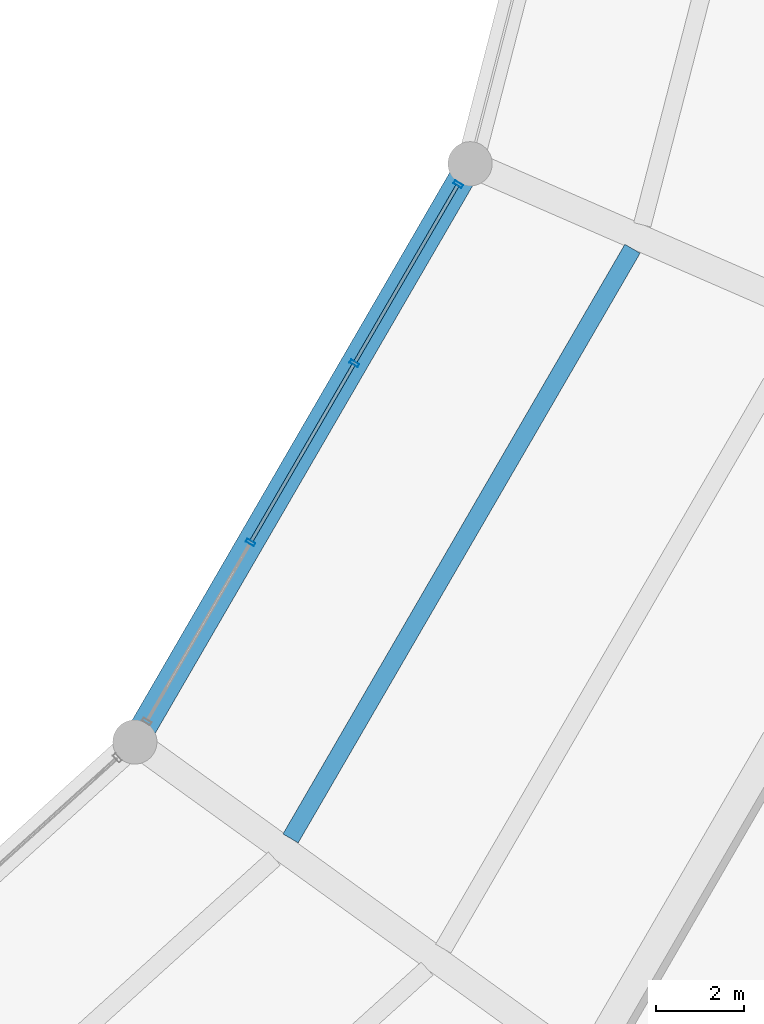
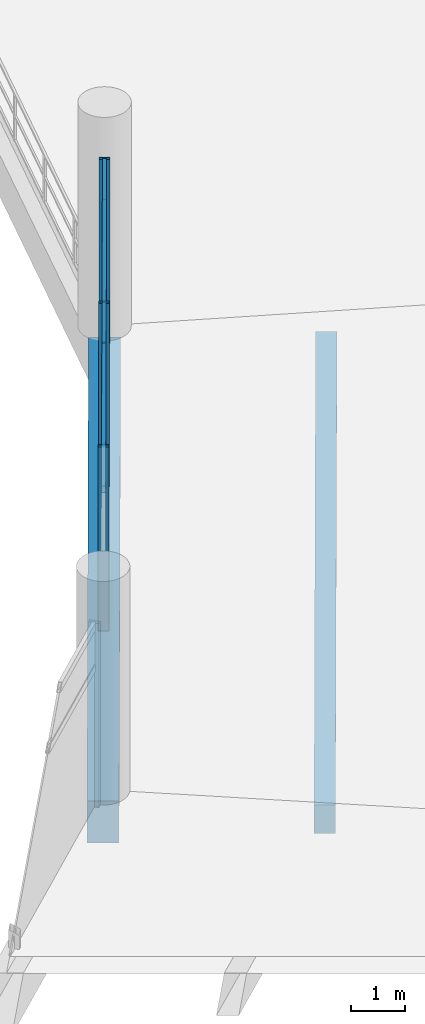
# One storey, part 74 of 184: 7 members, 2 beams, 1 element without a shape of its own.
"""IFC4 building model written with IfcOpenShell, lengths in metres."""

import ifcopenshell
import ifcopenshell.guid

model = None  # the IFC model being written
_history = None  # IfcOwnerHistory: only IFC2X3 demands one
_inside = {}  # id of a spatial element -> (the spatial element, [elements in it])
_under = {}  # id of a project, library or spatial element -> (it, [spatial elements below it])
_declared = {}  # id of a project -> (the project, [libraries it declares])
_typed = {}  # id of a type object -> (the type object, [elements of that type])
_made_of = {}  # id of a material, layer set ... -> (it, [elements and type objects made of it])


def new_model(schema):
    """Start an empty IFC model of exactly this schema.

    Asked for "IFC4X3", IfcOpenShell would pick the latest addendum, in which some entities
    have other attributes; the version numbers below select the first issue.
    IFC2X3 requires an IfcOwnerHistory on every rooted entity: one is made here for all.
    """
    global model, _history
    if schema == "IFC4X3":
        model = ifcopenshell.file(schema_version=(4, 3, 0, 0))
    else:
        model = ifcopenshell.file(schema=schema)
    _inside.clear()
    _under.clear()
    _declared.clear()
    _typed.clear()
    _made_of.clear()
    _history = None
    if model.schema == "IFC2X3":
        org = make("IfcOrganization", Name="unknown")
        user = make(
            "IfcPersonAndOrganization",
            ThePerson=make("IfcPerson", FamilyName="unknown"),
            TheOrganization=org,
        )
        app = make(
            "IfcApplication",
            ApplicationDeveloper=org,
            Version="unknown",
            ApplicationFullName="unknown",
            ApplicationIdentifier="unknown",
        )
        _history = make(
            "IfcOwnerHistory",
            OwningUser=user,
            OwningApplication=app,
            ChangeAction="ADDED",
            CreationDate=0,
        )
    return model


def make(cls, **values):
    """One entity of the class cls with the attributes given. An attribute that is None is left unset."""
    return model.create_entity(
        cls, **{name: value for name, value in values.items() if value is not None}
    )


def rooted(cls, **values):
    """An entity with a GlobalId (a new one), such as an element, a storey or a relation."""
    return make(cls, GlobalId=ifcopenshell.guid.new(), OwnerHistory=_history, **values)


def si_unit(unit_type, name, prefix=None):
    """IfcSIUnit, for example si_unit("LENGTHUNIT", "METRE", prefix="MILLI")."""
    return make("IfcSIUnit", UnitType=unit_type, Prefix=prefix, Name=name)


def assignment(units):
    """IfcUnitAssignment: the units of a project."""
    return None if units is None else make("IfcUnitAssignment", Units=units)


def point(xyz):
    """IfcCartesianPoint."""
    return None if xyz is None else make("IfcCartesianPoint", Coordinates=xyz)


def direction(xyz):
    """IfcDirection."""
    return None if xyz is None else make("IfcDirection", DirectionRatios=xyz)


def frame(location, z_axis=None, x_axis=None):
    """IfcAxis2Placement3D, a coordinate frame: its origin and axes. An axis left out is left unset."""
    return make(
        "IfcAxis2Placement3D",
        Location=point(location),
        Axis=direction(z_axis),
        RefDirection=direction(x_axis),
    )


def frame_2d(location, x_axis=None):
    """IfcAxis2Placement2D, a coordinate frame in the plane: its origin and x axis."""
    return make(
        "IfcAxis2Placement2D", Location=point(location), RefDirection=direction(x_axis)
    )


def origin():
    """The frame at (0, 0, 0) with its axes left unset."""
    return frame((0.0, 0.0, 0.0))


def origin_2d():
    """The frame at (0, 0) in the plane with its x axis left unset."""
    return frame_2d((0.0, 0.0))


def place(relative_to, where):
    """IfcLocalPlacement: puts the frame where relative to a parent placement (None: the world)."""
    return make(
        "IfcLocalPlacement", PlacementRelTo=relative_to, RelativePlacement=where
    )


def context(
    kind, dimensions, precision=None, world=None, true_north=None, identifier=None
):
    """IfcGeometricRepresentationContext, for example the 3D "Model" context."""
    return make(
        "IfcGeometricRepresentationContext",
        ContextIdentifier=identifier,
        ContextType=kind,
        CoordinateSpaceDimension=dimensions,
        Precision=precision,
        WorldCoordinateSystem=world,
        TrueNorth=true_north,
    )


def subcontext(parent, identifier, kind, view, scale=None):
    """IfcGeometricRepresentationSubContext, for example "Body" below "Model"."""
    return make(
        "IfcGeometricRepresentationSubContext",
        ContextIdentifier=identifier,
        ContextType=kind,
        ParentContext=parent,
        TargetScale=scale,
        TargetView=view,
    )


def project(units=None, contexts=None):
    """IfcProject with its units and contexts."""
    return rooted(
        "IfcProject",
        Name="project",
        RepresentationContexts=contexts,
        UnitsInContext=assignment(units),
    )


def spatial(cls, under=None, at=None, **own):
    """A site, building, storey or space (cls), placed at a placement, below another one or the project."""
    s = rooted(cls, ObjectPlacement=at, **own)
    if under is not None:
        _under.setdefault(under.id(), (under, []))[1].append(s)
    return s


def profile(cls, at=None, kind="AREA", **sizes):
    """A parametric profile (cls). Its sizes go by their IFC names, for example OverallWidth=200.0."""
    return make(cls, ProfileType=kind, Position=at, **sizes)


def rectangle(**sizes):
    """IfcRectangleProfileDef."""
    return profile("IfcRectangleProfileDef", **sizes)


def hollow_rectangle(**sizes):
    """IfcRectangleHollowProfileDef."""
    return profile("IfcRectangleHollowProfileDef", **sizes)


def extrude(swept, where, along, depth):
    """IfcExtrudedAreaSolid: the profile swept, set in the frame where, extruded along a direction by depth."""
    return make(
        "IfcExtrudedAreaSolid",
        SweptArea=swept,
        Position=where,
        ExtrudedDirection=direction(along),
        Depth=depth,
    )


def shape(context_of_items, identifier, shape_type, items):
    """IfcShapeRepresentation: the items that make up one representation, for example the "Body"."""
    return make(
        "IfcShapeRepresentation",
        ContextOfItems=context_of_items,
        RepresentationIdentifier=identifier,
        RepresentationType=shape_type,
        Items=items,
    )


def material(Name=None, Category=None):
    """IfcMaterial."""
    return make("IfcMaterial", Name=Name, Category=Category)


def layer(
    of_material, thickness, ventilated=None, Name=None, Category=None, Priority=None
):
    """IfcMaterialLayer: one layer of a wall or slab, of a material (None: an air gap)."""
    return make(
        "IfcMaterialLayer",
        Material=of_material,
        LayerThickness=thickness,
        IsVentilated=ventilated,
        Name=Name,
        Category=Category,
        Priority=Priority,
    )


def layer_set(layers, Name=None):
    """IfcMaterialLayerSet."""
    return make("IfcMaterialLayerSet", MaterialLayers=layers, LayerSetName=Name)


def material_profile(
    of_material, cross_section, Name=None, Category=None, Priority=None
):
    """IfcMaterialProfile: a cross section and its material."""
    return make(
        "IfcMaterialProfile",
        Name=Name,
        Material=of_material,
        Profile=cross_section,
        Priority=Priority,
        Category=Category,
    )


def profile_set(profiles, Name=None, composite=None):
    """IfcMaterialProfileSet."""
    return make(
        "IfcMaterialProfileSet",
        Name=Name,
        MaterialProfiles=profiles,
        CompositeProfile=composite,
    )


def made_of(thing, what):
    """Note that an element or type object is made of a material, layer set ...; save() writes the relation."""
    if what is not None:
        _made_of.setdefault(what.id(), (what, []))[1].append(thing)
    return thing


def type_object(cls, material=None, **own):
    """A type object (cls), such as IfcWallType, which elements share."""
    return made_of(rooted(cls, **own), material)


def element(
    cls,
    number,
    at=None,
    inside=None,
    cuts=None,
    type_object=None,
    material=None,
    context=None,
    identifier="Body",
    shape_type=None,
    held_by="IfcProductDefinitionShape",
    body=None,
    shapes=None,
    **own,
):
    """One element of the class cls, such as IfcWall. Its Tag is "e" and its number.

    at: its placement. inside: the storey or other place that contains it. cuts: it is an
    opening in that element (IfcRelVoidsElement). A single representation is given by context,
    identifier, shape_type and body (its items); several are given by shapes. held_by: the class
    of the entity that holds the representations. save() writes the other relations.
    """
    e = rooted(cls, Tag="e%d" % number, ObjectPlacement=at, **own)
    if body is not None:
        shapes = [shape(context, identifier, shape_type, body)]
    if shapes is not None:
        e.Representation = make(held_by, Representations=shapes)
    if inside is not None:
        _inside.setdefault(inside.id(), (inside, []))[1].append(e)
    if cuts is not None:
        rooted(
            "IfcRelVoidsElement", RelatingBuildingElement=cuts, RelatedOpeningElement=e
        )
    if type_object is not None:
        _typed.setdefault(type_object.id(), (type_object, []))[1].append(e)
    return made_of(e, material)


def aggregate(whole, parts):
    """IfcRelAggregates: a whole, such as a stair, and the parts it consists of."""
    return rooted("IfcRelAggregates", RelatingObject=whole, RelatedObjects=parts)


def save(model, path):
    """Write the relations noted so far, then the file.

    IfcRelAggregates (storeys below a building ...), IfcRelContainedInSpatialStructure (elements
    in a storey), IfcRelDefinesByType, IfcRelAssociatesMaterial and IfcRelDeclares: one each for
    every whole, place, type object, material and project.
    """
    for whole, parts in _under.values():
        aggregate(whole, parts)
    for where, things in _inside.values():
        rooted(
            "IfcRelContainedInSpatialStructure",
            RelatedElements=things,
            RelatingStructure=where,
        )
    for kind, things in _typed.values():
        rooted("IfcRelDefinesByType", RelatedObjects=things, RelatingType=kind)
    for what, things in _made_of.values():
        rooted("IfcRelAssociatesMaterial", RelatedObjects=things, RelatingMaterial=what)
    for by, libraries in _declared.values():
        rooted("IfcRelDeclares", RelatingContext=by, RelatedDefinitions=libraries)
    model.write(path)


model = new_model("IFC4")

# Units and contexts
model_context = context("Model", 3, precision=1e-05, world=origin(), true_north=direction((0.0, 1.0)))
body_context = subcontext(model_context, "Body", "Model", "MODEL_VIEW")
ifc_project = project(units=[si_unit("LENGTHUNIT", "METRE"), si_unit("AREAUNIT", "SQUARE_METRE"), si_unit("VOLUMEUNIT", "CUBIC_METRE"), si_unit("PLANEANGLEUNIT", "RADIAN"), si_unit("MASSUNIT", "GRAM", prefix="KILO")], contexts=[model_context])

# Site, building, storey
site_placement = place(None, origin())
site = spatial("IfcSite", under=ifc_project, at=site_placement, CompositionType="ELEMENT")
building_placement = place(site_placement, origin())
building = spatial("IfcBuilding", under=site, at=building_placement, Name="Kazemori Nagisa Stadium", CompositionType="ELEMENT")
storey_placement = place(building_placement, frame((0.0, 0.0, 10.5400390625)))
storey = spatial("IfcBuildingStorey", under=building, at=storey_placement, Name="L02", CompositionType="ELEMENT", Elevation=10.5400390625)

# Beams
ifc_material_1 = material(Name="Concrete C40/50 (Fc42)", Category="concrete")
ifc_material_profile_1 = material_profile(ifc_material_1, rectangle(XDim=0.60009765625, YDim=0.949951171875, at=origin_2d()), Name="RC-BM-600x950")
ifc_profile_set_1 = profile_set([ifc_material_profile_1], Name="Concrete C40/50 (Fc42)")
beam_type_1 = type_object("IfcBeamType", Name="Beam_BG-RC600X950", PredefinedType="BEAM", material=ifc_profile_set_1)
beam_1_placement = place(storey_placement, frame((180.301513671875, 60.632568359375, -0.735107421875), z_axis=(0.501613453924, 0.865091869597, 0.0), x_axis=(-0.865091869597, 0.501613453924, 0.0)))
element("IfcBeam", 1, at=beam_1_placement, inside=storey, type_object=beam_type_1, Name="Ring girder BG-RC600X950 L02 R1-26", PredefinedType="BEAM", context=body_context, shape_type="SweptSolid", body=[
    extrude(rectangle(XDim=0.60009765625, YDim=0.949951171875, at=origin_2d()), origin(), (0.0, 0.0, 1.0), 15.1201171875),
])
ifc_material_profile_2 = material_profile(ifc_material_1, rectangle(XDim=0.39990234375, YDim=0.64990234375, at=origin_2d()), Name="RC-BM-400x650")
ifc_profile_set_2 = profile_set([ifc_material_profile_2], Name="Concrete C40/50 (Fc42)")
beam_type_2 = type_object("IfcBeamType", Name="Beam_BJ-RC400X650", PredefinedType="JOIST", material=ifc_profile_set_2)
beam_2_placement = place(storey_placement, frame((183.824951171875, 58.451171875, -0.5849609375), z_axis=(0.501607199617, 0.865095496054, 0.0), x_axis=(-0.865095496054, 0.501607199617, 0.0)))
element("IfcBeam", 2, at=beam_2_placement, inside=storey, type_object=beam_type_2, Name="Concourse joist BJ-RC400X650 L02 B26-1", PredefinedType="JOIST", context=body_context, shape_type="SweptSolid", body=[
    extrude(rectangle(XDim=0.39990234375, YDim=0.64990234375, at=origin_2d()), origin(), (0.0, 0.0, 1.0), 15.420654296875),
])

# Curtain wall, members
ifc_material_2 = material(Name="Anodised aluminium 6063-T5", Category="aluminium")
ifc_layer = layer(ifc_material_2, 0.2099609375, Name="Anodised aluminium 6063-T5", Category="aluminium")
ifc_layer_set = layer_set([ifc_layer], Name="Anodised aluminium 6063-T5")
curtain_wall_type = type_object("IfcCurtainWallType", Name="CW_L02B_71", PredefinedType="USERDEFINED", material=ifc_layer_set)
curtain_wall_placement = place(storey_placement, origin())
curtain_wall = element("IfcCurtainWall", 3, at=curtain_wall_placement, inside=storey, type_object=curtain_wall_type, Name="Unitised curtain wall CW-L02B-71 L02", ObjectType="UNITISED CURTAIN WALL", PredefinedType="USERDEFINED")
ifc_material_3 = material(Name="Aluminium 6063-T5 anodised", Category="aluminium")
ifc_material_profile_3 = material_profile(ifc_material_3, hollow_rectangle(XDim=0.080078125, YDim=0.2099609375, WallThickness=0.0048828125, at=origin_2d()), Name="ALU-MULL-80x210x5")
ifc_profile_set_3 = profile_set([ifc_material_profile_3], Name="Aluminium 6063-T5 anodised")
member_type_1 = type_object("IfcMemberType", Name="Mullion_M02", PredefinedType="MULLION", material=ifc_profile_set_3)
member_1_placement = place(storey_placement, frame((182.919189453125, 65.14697265625, 0.0), z_axis=(0.0, 0.0, 1.0), x_axis=(0.501611590054, 0.865092950337, 0.0)))
member_1 = element("IfcMember", 4, at=member_1_placement, type_object=member_type_1, Name="Curtain wall mullion CW-L02B-71-M2", PredefinedType="MULLION", context=body_context, shape_type="SweptSolid", body=[
    extrude(hollow_rectangle(XDim=0.080078125, YDim=0.2099609375, WallThickness=0.0048828125, at=origin_2d()), origin(), (0.0, 0.0, 1.0), 4.18994140625),
])
member_2_placement = place(storey_placement, frame((185.268310546875, 69.198486328125, 0.0), z_axis=(0.0, 0.0, 1.0), x_axis=(0.501611590054, 0.865092950337, 0.0)))
member_2 = element("IfcMember", 5, at=member_2_placement, type_object=member_type_1, Name="Curtain wall mullion CW-L02B-71-M3", PredefinedType="MULLION", context=body_context, shape_type="SweptSolid", body=[
    extrude(hollow_rectangle(XDim=0.080078125, YDim=0.2099609375, WallThickness=0.0048828125, at=origin_2d()), origin(), (0.0, 0.0, 1.0), 4.18994140625),
])
member_3_placement = place(storey_placement, frame((187.61767578125, 73.25, 0.0), z_axis=(0.0, 0.0, 1.0), x_axis=(0.501611590054, 0.865092950337, 0.0)))
member_3 = element("IfcMember", 6, at=member_3_placement, type_object=member_type_1, Name="Curtain wall mullion CW-L02B-71-M4", PredefinedType="MULLION", context=body_context, shape_type="SweptSolid", body=[
    extrude(hollow_rectangle(XDim=0.080078125, YDim=0.2099609375, WallThickness=0.0048828125, at=origin_2d()), origin(), (0.0, 0.0, 1.0), 4.18994140625),
])
ifc_material_profile_4 = material_profile(ifc_material_3, hollow_rectangle(XDim=0.080078125, YDim=0.159912109375, WallThickness=0.00390625, at=origin_2d()), Name="ALU-TRAN-80x160x4")
ifc_profile_set_4 = profile_set([ifc_material_profile_4], Name="Aluminium 6063-T5 anodised")
member_type_2 = type_object("IfcMemberType", Name="Transom_T02", PredefinedType="USERDEFINED", material=ifc_profile_set_4)
member_4_placement = place(storey_placement, frame((182.92919921875, 65.164306640625, 3.184326171875), z_axis=(0.501610282552, 0.865093708472, 0.0), x_axis=(-0.865093708472, 0.501610282552, 0.0)))
member_4 = element("IfcMember", 7, at=member_4_placement, type_object=member_type_2, Name="Curtain wall transom CW-L02B-71-T2-mid", ObjectType="TRANSOM", PredefinedType="USERDEFINED", context=body_context, shape_type="SweptSolid", body=[
    extrude(hollow_rectangle(XDim=0.080078125, YDim=0.159912109375, WallThickness=0.00390625, at=origin_2d()), origin(), (0.0, 0.0, 1.0), 4.643310546875),
])
member_5_placement = place(storey_placement, frame((182.92919921875, 65.164306640625, 4.119873046875), z_axis=(0.501610282552, 0.865093708472, 0.0), x_axis=(-0.865093708472, 0.501610282552, 0.0)))
member_5 = element("IfcMember", 8, at=member_5_placement, type_object=member_type_2, Name="Curtain wall transom CW-L02B-71-T2-head", ObjectType="TRANSOM", PredefinedType="USERDEFINED", context=body_context, shape_type="SweptSolid", body=[
    extrude(hollow_rectangle(XDim=0.080078125, YDim=0.159912109375, WallThickness=0.00390625, at=origin_2d()), origin(), (0.0, 0.0, 1.0), 4.643310546875),
])
member_6_placement = place(storey_placement, frame((185.278564453125, 69.2158203125, 3.184326171875), z_axis=(0.501610282552, 0.865093708472, 0.0), x_axis=(-0.865093708472, 0.501610282552, 0.0)))
member_6 = element("IfcMember", 9, at=member_6_placement, type_object=member_type_2, Name="Curtain wall transom CW-L02B-71-T3-mid", ObjectType="TRANSOM", PredefinedType="USERDEFINED", context=body_context, shape_type="SweptSolid", body=[
    extrude(hollow_rectangle(XDim=0.080078125, YDim=0.159912109375, WallThickness=0.00390625, at=origin_2d()), origin(), (0.0, 0.0, 1.0), 4.643310546875),
])
member_7_placement = place(storey_placement, frame((185.278564453125, 69.2158203125, 4.119873046875), z_axis=(0.501610282552, 0.865093708472, 0.0), x_axis=(-0.865093708472, 0.501610282552, 0.0)))
member_7 = element("IfcMember", 10, at=member_7_placement, type_object=member_type_2, Name="Curtain wall transom CW-L02B-71-T3-head", ObjectType="TRANSOM", PredefinedType="USERDEFINED", context=body_context, shape_type="SweptSolid", body=[
    extrude(hollow_rectangle(XDim=0.080078125, YDim=0.159912109375, WallThickness=0.00390625, at=origin_2d()), origin(), (0.0, 0.0, 1.0), 4.643310546875),
])
aggregate(curtain_wall, [member_1, member_2, member_3, member_4, member_5, member_6, member_7])

save(model, "model.ifc")
